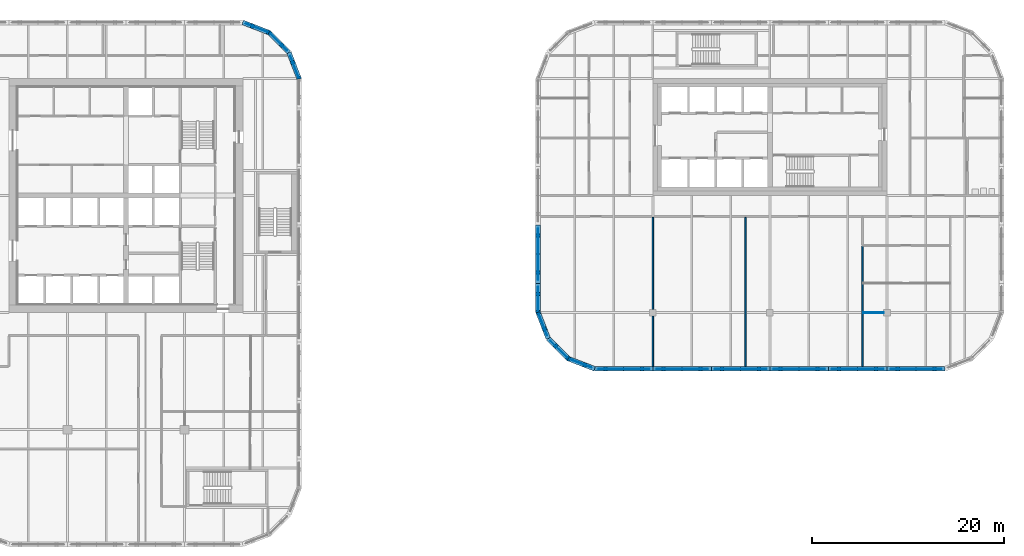
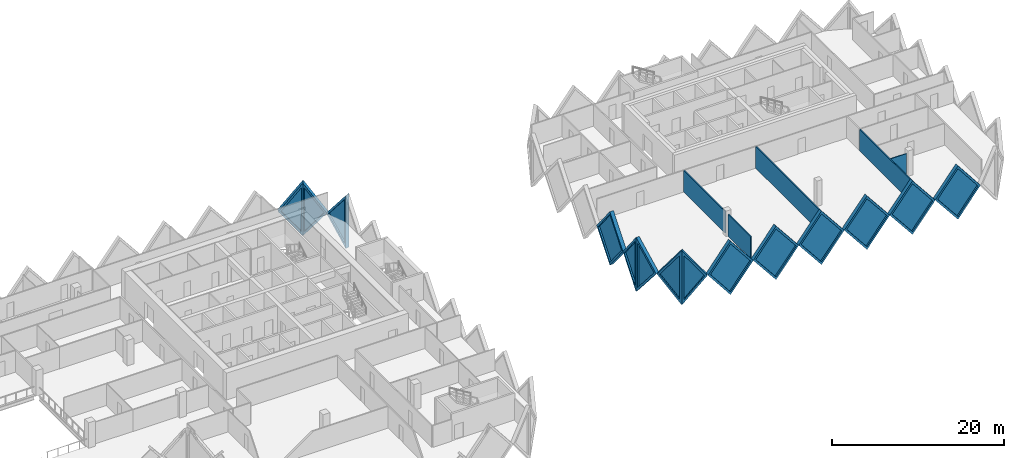
# One storey, part 11 of 19: 19 walls, 14 plates, 14 openings.
"""IFC4 building model written with IfcOpenShell, lengths in metres."""

import ifcopenshell
import ifcopenshell.guid

model = None  # the IFC model being written
_history = None  # IfcOwnerHistory: only IFC2X3 demands one
_inside = {}  # id of a spatial element -> (the spatial element, [elements in it])
_under = {}  # id of a project, library or spatial element -> (it, [spatial elements below it])
_declared = {}  # id of a project -> (the project, [libraries it declares])
_typed = {}  # id of a type object -> (the type object, [elements of that type])
_made_of = {}  # id of a material, layer set ... -> (it, [elements and type objects made of it])


def new_model(schema):
    """Start an empty IFC model of exactly this schema.

    Asked for "IFC4X3", IfcOpenShell would pick the latest addendum, in which some entities
    have other attributes; the version numbers below select the first issue.
    IFC2X3 requires an IfcOwnerHistory on every rooted entity: one is made here for all.
    """
    global model, _history
    if schema == "IFC4X3":
        model = ifcopenshell.file(schema_version=(4, 3, 0, 0))
    else:
        model = ifcopenshell.file(schema=schema)
    _inside.clear()
    _under.clear()
    _declared.clear()
    _typed.clear()
    _made_of.clear()
    _history = None
    if model.schema == "IFC2X3":
        org = make("IfcOrganization", Name="unknown")
        user = make(
            "IfcPersonAndOrganization",
            ThePerson=make("IfcPerson", FamilyName="unknown"),
            TheOrganization=org,
        )
        app = make(
            "IfcApplication",
            ApplicationDeveloper=org,
            Version="unknown",
            ApplicationFullName="unknown",
            ApplicationIdentifier="unknown",
        )
        _history = make(
            "IfcOwnerHistory",
            OwningUser=user,
            OwningApplication=app,
            ChangeAction="ADDED",
            CreationDate=0,
        )
    return model


def make(cls, **values):
    """One entity of the class cls with the attributes given. An attribute that is None is left unset."""
    return model.create_entity(
        cls, **{name: value for name, value in values.items() if value is not None}
    )


def rooted(cls, **values):
    """An entity with a GlobalId (a new one), such as an element, a storey or a relation."""
    return make(cls, GlobalId=ifcopenshell.guid.new(), OwnerHistory=_history, **values)


def si_unit(unit_type, name, prefix=None):
    """IfcSIUnit, for example si_unit("LENGTHUNIT", "METRE", prefix="MILLI")."""
    return make("IfcSIUnit", UnitType=unit_type, Prefix=prefix, Name=name)


def assignment(units):
    """IfcUnitAssignment: the units of a project."""
    return None if units is None else make("IfcUnitAssignment", Units=units)


def point(xyz):
    """IfcCartesianPoint."""
    return None if xyz is None else make("IfcCartesianPoint", Coordinates=xyz)


def direction(xyz):
    """IfcDirection."""
    return None if xyz is None else make("IfcDirection", DirectionRatios=xyz)


def frame(location, z_axis=None, x_axis=None):
    """IfcAxis2Placement3D, a coordinate frame: its origin and axes. An axis left out is left unset."""
    return make(
        "IfcAxis2Placement3D",
        Location=point(location),
        Axis=direction(z_axis),
        RefDirection=direction(x_axis),
    )


def frame_2d(location, x_axis=None):
    """IfcAxis2Placement2D, a coordinate frame in the plane: its origin and x axis."""
    return make(
        "IfcAxis2Placement2D", Location=point(location), RefDirection=direction(x_axis)
    )


def origin():
    """The frame at (0, 0, 0) with its axes left unset."""
    return frame((0.0, 0.0, 0.0))


def place(relative_to, where):
    """IfcLocalPlacement: puts the frame where relative to a parent placement (None: the world)."""
    return make(
        "IfcLocalPlacement", PlacementRelTo=relative_to, RelativePlacement=where
    )


def context(
    kind, dimensions, precision=None, world=None, true_north=None, identifier=None
):
    """IfcGeometricRepresentationContext, for example the 3D "Model" context."""
    return make(
        "IfcGeometricRepresentationContext",
        ContextIdentifier=identifier,
        ContextType=kind,
        CoordinateSpaceDimension=dimensions,
        Precision=precision,
        WorldCoordinateSystem=world,
        TrueNorth=true_north,
    )


def subcontext(parent, identifier, kind, view, scale=None):
    """IfcGeometricRepresentationSubContext, for example "Body" below "Model"."""
    return make(
        "IfcGeometricRepresentationSubContext",
        ContextIdentifier=identifier,
        ContextType=kind,
        ParentContext=parent,
        TargetScale=scale,
        TargetView=view,
    )


def project(units=None, contexts=None):
    """IfcProject with its units and contexts."""
    return rooted(
        "IfcProject",
        Name="project",
        RepresentationContexts=contexts,
        UnitsInContext=assignment(units),
    )


def spatial(cls, under=None, at=None, **own):
    """A site, building, storey or space (cls), placed at a placement, below another one or the project."""
    s = rooted(cls, ObjectPlacement=at, **own)
    if under is not None:
        _under.setdefault(under.id(), (under, []))[1].append(s)
    return s


def polyline(points):
    """IfcPolyline through the points."""
    return make("IfcPolyline", Points=[point(p) for p in points])


def profile(cls, at=None, kind="AREA", **sizes):
    """A parametric profile (cls). Its sizes go by their IFC names, for example OverallWidth=200.0."""
    return make(cls, ProfileType=kind, Position=at, **sizes)


def rectangle(**sizes):
    """IfcRectangleProfileDef."""
    return profile("IfcRectangleProfileDef", **sizes)


def outline(outer, holes=None, kind="AREA"):
    """IfcArbitraryClosedProfileDef: a profile drawn as a closed curve; with holes, ...WithVoids."""
    if holes is None:
        return make("IfcArbitraryClosedProfileDef", ProfileType=kind, OuterCurve=outer)
    return make(
        "IfcArbitraryProfileDefWithVoids",
        ProfileType=kind,
        OuterCurve=outer,
        InnerCurves=holes,
    )


def extrude(swept, where, along, depth):
    """IfcExtrudedAreaSolid: the profile swept, set in the frame where, extruded along a direction by depth."""
    return make(
        "IfcExtrudedAreaSolid",
        SweptArea=swept,
        Position=where,
        ExtrudedDirection=direction(along),
        Depth=depth,
    )


def faces_of(points, faces, orient=None, outer=None):
    """IfcFace entities. A face is a list of loops; a loop is a list of indices into points, from 0.

    orient and outer hold one flag for each loop. By default every Orientation is true, the
    first loop of a face is its IfcFaceOuterBound and the others are IfcFaceBound.
    """
    made = []
    for i, loops in enumerate(faces):
        bounds = []
        for j, loop in enumerate(loops):
            is_outer = j == 0 if outer is None else outer[i][j]
            bounds.append(
                make(
                    "IfcFaceOuterBound" if is_outer else "IfcFaceBound",
                    Bound=make("IfcPolyLoop", Polygon=[points[k] for k in loop]),
                    Orientation=True if orient is None else orient[i][j],
                )
            )
        made.append(make("IfcFace", Bounds=bounds))
    return made


def faceted_brep(points, faces, orient=None, outer=None, voids=None):
    """IfcFacetedBrep: a solid bounded by flat faces; with voids (closed shells), ...WithVoids."""
    shared = [point(p) for p in points]
    hull = make("IfcClosedShell", CfsFaces=faces_of(shared, faces, orient, outer))
    if voids is None:
        return make("IfcFacetedBrep", Outer=hull)
    return make(
        "IfcFacetedBrepWithVoids",
        Outer=hull,
        Voids=[
            make(cls, CfsFaces=faces_of(shared, fs, o, b)) for cls, fs, o, b in voids
        ],
    )


def shape(context_of_items, identifier, shape_type, items):
    """IfcShapeRepresentation: the items that make up one representation, for example the "Body"."""
    return make(
        "IfcShapeRepresentation",
        ContextOfItems=context_of_items,
        RepresentationIdentifier=identifier,
        RepresentationType=shape_type,
        Items=items,
    )


def source(mapping_origin, context_of_items, identifier, shape_type, items):
    """IfcRepresentationMap: a shape defined once, which mapped items show again and again."""
    return make(
        "IfcRepresentationMap",
        MappingOrigin=mapping_origin,
        MappedRepresentation=shape(context_of_items, identifier, shape_type, items),
    )


def transform(
    local_origin,
    x_axis=None,
    y_axis=None,
    z_axis=None,
    scale=None,
    scale2=None,
    scale3=None,
    uniform=True,
):
    """IfcCartesianTransformationOperator3D, or its non-uniform kind. x_axis, y_axis, z_axis: its Axis1, 2, 3."""
    if uniform:
        return make(
            "IfcCartesianTransformationOperator3D",
            Axis1=direction(x_axis),
            Axis2=direction(y_axis),
            LocalOrigin=point(local_origin),
            Scale=scale,
            Axis3=direction(z_axis),
        )
    return make(
        "IfcCartesianTransformationOperator3DnonUniform",
        Axis1=direction(x_axis),
        Axis2=direction(y_axis),
        LocalOrigin=point(local_origin),
        Scale=scale,
        Axis3=direction(z_axis),
        Scale2=scale2,
        Scale3=scale3,
    )


def mapped(mapping_source, mapping_target):
    """IfcMappedItem: shows the shape of a source again, moved by a transform."""
    return make(
        "IfcMappedItem", MappingSource=mapping_source, MappingTarget=mapping_target
    )


def material(Name=None, Category=None):
    """IfcMaterial."""
    return make("IfcMaterial", Name=Name, Category=Category)


def layer(
    of_material, thickness, ventilated=None, Name=None, Category=None, Priority=None
):
    """IfcMaterialLayer: one layer of a wall or slab, of a material (None: an air gap)."""
    return make(
        "IfcMaterialLayer",
        Material=of_material,
        LayerThickness=thickness,
        IsVentilated=ventilated,
        Name=Name,
        Category=Category,
        Priority=Priority,
    )


def layer_set(layers, Name=None):
    """IfcMaterialLayerSet."""
    return make("IfcMaterialLayerSet", MaterialLayers=layers, LayerSetName=Name)


def made_of(thing, what):
    """Note that an element or type object is made of a material, layer set ...; save() writes the relation."""
    if what is not None:
        _made_of.setdefault(what.id(), (what, []))[1].append(thing)
    return thing


def type_object(cls, material=None, **own):
    """A type object (cls), such as IfcWallType, which elements share."""
    return made_of(rooted(cls, **own), material)


def element(
    cls,
    number,
    at=None,
    inside=None,
    cuts=None,
    type_object=None,
    material=None,
    context=None,
    identifier="Body",
    shape_type=None,
    held_by="IfcProductDefinitionShape",
    body=None,
    shapes=None,
    **own,
):
    """One element of the class cls, such as IfcWall. Its Tag is "e" and its number.

    at: its placement. inside: the storey or other place that contains it. cuts: it is an
    opening in that element (IfcRelVoidsElement). A single representation is given by context,
    identifier, shape_type and body (its items); several are given by shapes. held_by: the class
    of the entity that holds the representations. save() writes the other relations.
    """
    e = rooted(cls, Tag="e%d" % number, ObjectPlacement=at, **own)
    if body is not None:
        shapes = [shape(context, identifier, shape_type, body)]
    if shapes is not None:
        e.Representation = make(held_by, Representations=shapes)
    if inside is not None:
        _inside.setdefault(inside.id(), (inside, []))[1].append(e)
    if cuts is not None:
        rooted(
            "IfcRelVoidsElement", RelatingBuildingElement=cuts, RelatedOpeningElement=e
        )
    if type_object is not None:
        _typed.setdefault(type_object.id(), (type_object, []))[1].append(e)
    return made_of(e, material)


def fill(opening, filler):
    """IfcRelFillsElement: the door or window that sits in an opening."""
    return rooted(
        "IfcRelFillsElement",
        RelatingOpeningElement=opening,
        RelatedBuildingElement=filler,
    )


def aggregate(whole, parts):
    """IfcRelAggregates: a whole, such as a stair, and the parts it consists of."""
    return rooted("IfcRelAggregates", RelatingObject=whole, RelatedObjects=parts)


def save(model, path):
    """Write the relations noted so far, then the file.

    IfcRelAggregates (storeys below a building ...), IfcRelContainedInSpatialStructure (elements
    in a storey), IfcRelDefinesByType, IfcRelAssociatesMaterial and IfcRelDeclares: one each for
    every whole, place, type object, material and project.
    """
    for whole, parts in _under.values():
        aggregate(whole, parts)
    for where, things in _inside.values():
        rooted(
            "IfcRelContainedInSpatialStructure",
            RelatedElements=things,
            RelatingStructure=where,
        )
    for kind, things in _typed.values():
        rooted("IfcRelDefinesByType", RelatedObjects=things, RelatingType=kind)
    for what, things in _made_of.values():
        rooted("IfcRelAssociatesMaterial", RelatedObjects=things, RelatingMaterial=what)
    for by, libraries in _declared.values():
        rooted("IfcRelDeclares", RelatingContext=by, RelatedDefinitions=libraries)
    model.write(path)


model = new_model("IFC4")

# Units and contexts
model_context = context("Model", 3, precision=1e-05, world=origin(), true_north=direction((0.0, 1.0)))
body_context = subcontext(model_context, "Body", "Model", "MODEL_VIEW")
ifc_project = project(units=[si_unit("LENGTHUNIT", "METRE"), si_unit("AREAUNIT", "SQUARE_METRE"), si_unit("VOLUMEUNIT", "CUBIC_METRE"), si_unit("PLANEANGLEUNIT", "RADIAN"), si_unit("MASSUNIT", "GRAM", prefix="KILO")], contexts=[model_context])

# Site, building, storey
site_placement = place(None, origin())
site = spatial("IfcSite", under=ifc_project, at=site_placement, CompositionType="ELEMENT")
building_placement = place(site_placement, origin())
building = spatial("IfcBuilding", under=site, at=building_placement, Name="Tessera Gate Towers", CompositionType="ELEMENT")
storey_placement = place(building_placement, frame((0.0, 0.0, 80.0)))
storey = spatial("IfcBuildingStorey", under=building, at=storey_placement, Name="L19", CompositionType="ELEMENT", Elevation=80.0)

# Walls
ifc_material_1 = material(Name="Gypsum board on steel studs", Category="steel")
ifc_layer_1 = layer(ifc_material_1, 0.10009765625)
ifc_layer_set_1 = layer_set([ifc_layer_1], Name="PARTITION 100")
wall_type_1 = type_object("IfcWallType", Name="PARTITION 100", PredefinedType="PARTITIONING", material=ifc_layer_set_1)
wall_1_placement = place(storey_placement, frame((121.64990234375, 24.39990234375, 0.0), z_axis=(0.0, 0.0, 1.0), x_axis=(-1.0, 0.0, 0.0)))
element("IfcWall", 1, at=wall_1_placement, inside=storey, type_object=wall_type_1, Name="T2-L19-PW-005", PredefinedType="PARTITIONING", context=body_context, shape_type="SweptSolid", body=[
    extrude(rectangle(XDim=2.125, YDim=0.10009765625, at=frame_2d((1.0625, 0.0))), origin(), (0.0, 0.0, 1.0), 3.06689453125),
])
ifc_material_2 = material(Name="Gypsum board on steel studs, mineral wool", Category="steel")
ifc_layer_2 = layer(ifc_material_2, 0.14990234375)
ifc_layer_set_2 = layer_set([ifc_layer_2], Name="TENANCY WALL 150")
wall_type_2 = type_object("IfcWallType", Name="TENANCY WALL 150", PredefinedType="PARTITIONING", material=ifc_layer_set_2)
wall_2_placement = place(storey_placement, frame((97.60009765625, 18.800048828125, 0.0), z_axis=(0.0, 0.0, 1.0), x_axis=(0.0, 1.0, 0.0)))
element("IfcWall", 2, at=wall_2_placement, inside=storey, type_object=wall_type_2, Name="T2-L19-PW-001", PredefinedType="PARTITIONING", context=body_context, shape_type="SweptSolid", body=[
    extrude(rectangle(XDim=5.2490234375, YDim=0.14990234375, at=frame_2d((2.62451171875, 0.0))), origin(), (0.0, 0.0, 1.0), 3.06689453125),
])
wall_3_placement = place(storey_placement, frame((107.25, 18.800048828125, 0.0), z_axis=(0.0, 0.0, 1.0), x_axis=(0.0, 1.0, 0.0)))
element("IfcWall", 3, at=wall_3_placement, inside=storey, type_object=wall_type_2, Name="T2-L19-PW-002", PredefinedType="PARTITIONING", context=body_context, shape_type="SweptSolid", body=[
    extrude(rectangle(XDim=15.52392578125, YDim=0.14990234375, at=frame_2d((7.761962890625, 0.0))), origin(), (0.0, 0.0, 1.0), 3.06689453125),
])
wall_4_placement = place(storey_placement, frame((119.449951171875, 18.800048828125, 0.0), z_axis=(0.0, 0.0, 1.0), x_axis=(0.0, 1.0, 0.0)))
element("IfcWall", 4, at=wall_4_placement, inside=storey, type_object=wall_type_2, Name="T2-L19-PW-003", PredefinedType="PARTITIONING", context=body_context, shape_type="SweptSolid", body=[
    extrude(rectangle(XDim=12.52392578125, YDim=0.14990234375, at=frame_2d((6.261962890625, 0.0))), origin(), (0.0, 0.0, 1.0), 3.06689453125),
])
wall_5_placement = place(storey_placement, frame((97.60009765625, 24.7509765625, 0.0), z_axis=(0.0, 0.0, 1.0), x_axis=(0.0, 1.0, 0.0)))
element("IfcWall", 5, at=wall_5_placement, inside=storey, type_object=wall_type_2, Name="T2-L19-PW-006", PredefinedType="PARTITIONING", context=body_context, shape_type="SweptSolid", body=[
    extrude(rectangle(XDim=9.572998046875, YDim=0.14990234375, at=frame_2d((4.78662109375, 0.0))), origin(), (0.0, 0.0, 1.0), 3.06689453125),
])

# Wall, opening, plate
ifc_material_3 = material(Name="Precast concrete C60/75 white", Category="concrete")
ifc_layer_3 = layer(ifc_material_3, 0.5)
ifc_layer_set_3 = layer_set([ifc_layer_3], Name="TS1 tessera")
wall_type_3 = type_object("IfcWallType", Name="TS1 tessera", PredefinedType="SOLIDWALL", material=ifc_layer_set_3)
shared_shape_1 = source(origin(), body_context, "Body", "Brep", [
    faceted_brep([(3.00341796875, -0.25, 0.0), (6.053466796875, -0.25, 3.800048828125), (3.00341796875, -0.25, 7.60009765625), (0.0, -0.25, 3.800048828125), (0.046630859375, 0.25, 3.85888671875), (3.00341796875, 0.25, 7.60009765625), (6.053466796875, 0.25, 3.800048828125), (3.00341796875, 0.25, 0.0), (0.046630859375, 0.25, 3.7412109375), (0.0, 0.0, 3.800048828125)], [[[0, 1, 2, 3]], [[4, 5, 6, 7, 8]], [[7, 6, 1, 0]], [[6, 5, 2, 1]], [[5, 4, 9, 3, 2]], [[8, 7, 0, 3, 9]], [[8, 9, 4]]]),
])
wall_6_placement = place(storey_placement, frame((91.546630859375, 18.550048828125, -3.800048828125), z_axis=(0.0, 0.0, 1.0), x_axis=(1.0, 0.0, 0.0)))
wall_6 = element("IfcWall", 6, at=wall_6_placement, inside=storey, type_object=wall_type_3, Name="Precast tessera T2 TS1-0216", PredefinedType="SOLIDWALL", context=body_context, shape_type="MappedRepresentation", body=[
    mapped(shared_shape_1, transform((0.0, 0.0, 0.0), scale=1.0)),
])
shared_shape_2 = source(origin(), body_context, "Body", "SweptSolid", [
    extrude(outline(polyline([(3.0048828125, 0.4013671875), (5.73291015625, 3.800048828125), (3.0048828125, 7.19873046875), (0.318603515625, 3.800048828125), (3.0048828125, 0.4013671875)])), frame((0.0, 0.260009765625, 0.0), z_axis=(0.0, -1.0, 0.0), x_axis=(1.0, 0.0, 0.0)), (0.0, 0.0, 1.0), 0.52001953125),
])
opening_1_placement = place(wall_6_placement, origin())
opening_1 = element("IfcOpeningElement", 7, at=opening_1_placement, cuts=wall_6, Name="Opening T2-PL2-0408", PredefinedType="OPENING", context=body_context, shape_type="MappedRepresentation", body=[
    mapped(shared_shape_2, transform((0.0, 0.0, 0.0), scale=1.0)),
])
ifc_material_4 = material(Name="Low-e laminated glass", Category="glass")
ifc_layer_4 = layer(ifc_material_4, 0.06005859375)
ifc_layer_set_4 = layer_set([ifc_layer_4], Name="PL2 rhombic pane")
plate_type = type_object("IfcPlateType", Name="PL2 rhombic pane", PredefinedType="SHEET", material=ifc_layer_set_4)
shared_shape_3 = source(origin(), body_context, "Body", "SweptSolid", [
    extrude(outline(polyline([(3.0048828125, 0.4013671875), (5.73291015625, 3.800048828125), (3.0048828125, 7.19873046875), (0.318603515625, 3.800048828125), (3.0048828125, 0.4013671875)])), frame((0.0, 0.030029296875, 0.0), z_axis=(0.0, -1.0, 0.0), x_axis=(1.0, 0.0, 0.0)), (0.0, 0.0, 1.0), 0.06005859375),
])
plate_1_placement = place(opening_1_placement, origin())
plate_1 = element("IfcPlate", 8, at=plate_1_placement, inside=storey, type_object=plate_type, Name="Glass pane T2 PL2-0408", PredefinedType="SHEET", context=body_context, shape_type="MappedRepresentation", body=[
    mapped(shared_shape_3, transform((0.0, 0.0, 0.0), scale=1.0)),
])
fill(opening_1, plate_1)

shared_shape_4 = source(origin(), body_context, "Body", "Brep", [
    faceted_brep([(3.050048828125, -0.25, 0.0), (6.099853515625, -0.25, 3.7998046875), (6.099853515625, -0.25, 3.80029296875), (3.050048828125, -0.25, 7.60009765625), (0.0, -0.25, 3.800048828125), (0.0, 0.25, 3.800048828125), (3.050048828125, 0.25, 7.60009765625), (6.099853515625, 0.25, 3.80029296875), (6.099853515625, 0.25, 3.7998046875), (3.050048828125, 0.25, 0.0)], [[[0, 1, 2, 3, 4]], [[5, 6, 7, 8, 9]], [[9, 8, 1, 0]], [[7, 6, 3, 2]], [[6, 5, 4, 3]], [[5, 9, 0, 4]], [[1, 8, 7, 2]]]),
])
wall_7_placement = place(storey_placement, frame((97.60009765625, 18.550048828125, -3.800048828125), z_axis=(0.0, 0.0, 1.0), x_axis=(1.0, 0.0, 0.0)))
wall_7 = element("IfcWall", 9, at=wall_7_placement, inside=storey, type_object=wall_type_3, Name="Precast tessera T2 TS1-0217", PredefinedType="SOLIDWALL", context=body_context, shape_type="MappedRepresentation", body=[
    mapped(shared_shape_4, transform((0.0, 0.0, 0.0), scale=1.0)),
])
shared_shape_5 = source(origin(), body_context, "Body", "SweptSolid", [
    extrude(outline(polyline([(3.050048828125, 0.3994140625), (5.779541015625, 3.800048828125), (3.050048828125, 7.20068359375), (0.320556640625, 3.800048828125), (3.050048828125, 0.3994140625)])), frame((0.0, 0.260009765625, 0.0), z_axis=(0.0, -1.0, 0.0), x_axis=(1.0, 0.0, 0.0)), (0.0, 0.0, 1.0), 0.52001953125),
])
opening_2_placement = place(wall_7_placement, origin())
opening_2 = element("IfcOpeningElement", 10, at=opening_2_placement, cuts=wall_7, Name="Opening T2-PL2-0409", PredefinedType="OPENING", context=body_context, shape_type="MappedRepresentation", body=[
    mapped(shared_shape_5, transform((0.0, 0.0, 0.0), scale=1.0)),
])
shared_shape_6 = source(origin(), body_context, "Body", "SweptSolid", [
    extrude(outline(polyline([(3.050048828125, 0.3994140625), (5.779541015625, 3.800048828125), (3.050048828125, 7.20068359375), (0.320556640625, 3.800048828125), (3.050048828125, 0.3994140625)])), frame((0.0, 0.030029296875, 0.0), z_axis=(0.0, -1.0, 0.0), x_axis=(1.0, 0.0, 0.0)), (0.0, 0.0, 1.0), 0.06005859375),
])
plate_2_placement = place(opening_2_placement, origin())
plate_2 = element("IfcPlate", 11, at=plate_2_placement, inside=storey, type_object=plate_type, Name="Glass pane T2 PL2-0409", PredefinedType="SHEET", context=body_context, shape_type="MappedRepresentation", body=[
    mapped(shared_shape_6, transform((0.0, 0.0, 0.0), scale=1.0)),
])
fill(opening_2, plate_2)

wall_8_placement = place(storey_placement, frame((109.800048828125, 18.550048828125, -3.800048828125), z_axis=(0.0, 0.0, 1.0), x_axis=(1.0, 0.0, 0.0)))
wall_8 = element("IfcWall", 12, at=wall_8_placement, inside=storey, type_object=wall_type_3, Name="Precast tessera T2 TS1-0219", PredefinedType="SOLIDWALL", context=body_context, shape_type="MappedRepresentation", body=[
    mapped(shared_shape_4, transform((0.0, 0.0, 0.0), scale=1.0)),
])
opening_3_placement = place(wall_8_placement, origin())
opening_3 = element("IfcOpeningElement", 13, at=opening_3_placement, cuts=wall_8, Name="Opening T2-PL2-0411", PredefinedType="OPENING", context=body_context, shape_type="MappedRepresentation", body=[
    mapped(shared_shape_5, transform((0.0, 0.0, 0.0), scale=1.0)),
])
plate_3_placement = place(opening_3_placement, origin())
plate_3 = element("IfcPlate", 14, at=plate_3_placement, inside=storey, type_object=plate_type, Name="Glass pane T2 PL2-0411", PredefinedType="SHEET", context=body_context, shape_type="MappedRepresentation", body=[
    mapped(shared_shape_6, transform((0.0, 0.0, 0.0), scale=1.0)),
])
fill(opening_3, plate_3)

shared_shape_7 = source(origin(), body_context, "Body", "SweptSolid", [
    extrude(outline(polyline([(3.050048828125, 0.0), (6.10009765625, 3.800048828125), (3.050048828125, 7.60009765625), (0.0, 3.800048828125), (3.050048828125, 0.0)])), frame((0.0, 0.25, 0.0), z_axis=(0.0, -1.0, 0.0), x_axis=(1.0, 0.0, 0.0)), (0.0, 0.0, 1.0), 0.5),
])
wall_9_placement = place(storey_placement, frame((103.699951171875, 18.550048828125, -3.800048828125), z_axis=(0.0, 0.0, 1.0), x_axis=(1.0, 0.0, 0.0)))
wall_9 = element("IfcWall", 15, at=wall_9_placement, inside=storey, type_object=wall_type_3, Name="Precast tessera T2 TS1-0218", PredefinedType="SOLIDWALL", context=body_context, shape_type="MappedRepresentation", body=[
    mapped(shared_shape_7, transform((0.0, 0.0, 0.0), scale=1.0)),
])
opening_4_placement = place(wall_9_placement, origin())
opening_4 = element("IfcOpeningElement", 16, at=opening_4_placement, cuts=wall_9, Name="Opening T2-PL2-0410", PredefinedType="OPENING", context=body_context, shape_type="MappedRepresentation", body=[
    mapped(shared_shape_5, transform((0.0, 0.0, 0.0), scale=1.0)),
])
plate_4_placement = place(opening_4_placement, origin())
plate_4 = element("IfcPlate", 17, at=plate_4_placement, inside=storey, type_object=plate_type, Name="Glass pane T2 PL2-0410", PredefinedType="SHEET", context=body_context, shape_type="MappedRepresentation", body=[
    mapped(shared_shape_6, transform((0.0, 0.0, 0.0), scale=1.0)),
])
fill(opening_4, plate_4)

wall_10_placement = place(storey_placement, frame((115.89990234375, 18.550048828125, -3.800048828125), z_axis=(0.0, 0.0, 1.0), x_axis=(1.0, 0.0, 0.0)))
wall_10 = element("IfcWall", 18, at=wall_10_placement, inside=storey, type_object=wall_type_3, Name="Precast tessera T2 TS1-0220", PredefinedType="SOLIDWALL", context=body_context, shape_type="MappedRepresentation", body=[
    mapped(shared_shape_7, transform((0.0, 0.0, 0.0), scale=1.0)),
])
opening_5_placement = place(wall_10_placement, origin())
opening_5 = element("IfcOpeningElement", 19, at=opening_5_placement, cuts=wall_10, Name="Opening T2-PL2-0412", PredefinedType="OPENING", context=body_context, shape_type="MappedRepresentation", body=[
    mapped(shared_shape_5, transform((0.0, 0.0, 0.0), scale=1.0)),
])
plate_5_placement = place(opening_5_placement, origin())
plate_5 = element("IfcPlate", 20, at=plate_5_placement, inside=storey, type_object=plate_type, Name="Glass pane T2 PL2-0412", PredefinedType="SHEET", context=body_context, shape_type="MappedRepresentation", body=[
    mapped(shared_shape_6, transform((0.0, 0.0, 0.0), scale=1.0)),
])
fill(opening_5, plate_5)

wall_11_placement = place(storey_placement, frame((85.64990234375, 33.550048828125, -3.800048828125), z_axis=(0.0, 0.0, 1.0), x_axis=(0.0, -1.0, 0.0)))
wall_11 = element("IfcWall", 21, at=wall_11_placement, inside=storey, type_object=wall_type_3, Name="Precast tessera T2 TS1-0233", PredefinedType="SOLIDWALL", context=body_context, shape_type="MappedRepresentation", body=[
    mapped(shared_shape_7, transform((0.0, 0.0, 0.0), scale=1.0)),
])
opening_6_placement = place(wall_11_placement, origin())
opening_6 = element("IfcOpeningElement", 22, at=opening_6_placement, cuts=wall_11, Name="Opening T2-PL2-0437", PredefinedType="OPENING", context=body_context, shape_type="MappedRepresentation", body=[
    mapped(shared_shape_5, transform((0.0, 0.0, 0.0), scale=1.0)),
])
plate_6_placement = place(opening_6_placement, origin())
plate_6 = element("IfcPlate", 23, at=plate_6_placement, inside=storey, type_object=plate_type, Name="Glass pane T2 PL2-0437", PredefinedType="SHEET", context=body_context, shape_type="MappedRepresentation", body=[
    mapped(shared_shape_6, transform((0.0, 0.0, 0.0), scale=1.0)),
])
fill(opening_6, plate_6)

shared_shape_8 = source(origin(), body_context, "Body", "Brep", [
    faceted_brep([(3.050048828125, -0.25, 0.0), (6.053466796875, -0.25, 3.800048828125), (3.050048828125, -0.25, 7.60009765625), (0.0, -0.25, 3.800048828125), (0.0, 0.25, 3.800048828125), (3.050048828125, 0.25, 7.60009765625), (6.0068359375, 0.25, 3.85888671875), (6.0068359375, 0.25, 3.7412109375), (3.050048828125, 0.25, 0.0), (6.053466796875, 0.0, 3.800048828125)], [[[0, 1, 2, 3]], [[4, 5, 6, 7, 8]], [[8, 7, 9, 1, 0]], [[6, 5, 2, 1, 9]], [[5, 4, 3, 2]], [[4, 8, 0, 3]], [[9, 7, 6]]]),
])
wall_12_placement = place(storey_placement, frame((122.0, 18.550048828125, -3.800048828125), z_axis=(0.0, 0.0, 1.0), x_axis=(1.0, 0.0, 0.0)))
wall_12 = element("IfcWall", 24, at=wall_12_placement, inside=storey, type_object=wall_type_3, Name="Precast tessera T2 TS1-0221", PredefinedType="SOLIDWALL", context=body_context, shape_type="MappedRepresentation", body=[
    mapped(shared_shape_8, transform((0.0, 0.0, 0.0), scale=1.0)),
])
shared_shape_9 = source(origin(), body_context, "Body", "SweptSolid", [
    extrude(outline(polyline([(3.048583984375, 0.4013671875), (5.73486328125, 3.800048828125), (3.048583984375, 7.19873046875), (0.320556640625, 3.800048828125), (3.048583984375, 0.4013671875)])), frame((0.0, 0.260009765625, 0.0), z_axis=(0.0, -1.0, 0.0), x_axis=(1.0, 0.0, 0.0)), (0.0, 0.0, 1.0), 0.52001953125),
])
opening_7_placement = place(wall_12_placement, origin())
opening_7 = element("IfcOpeningElement", 25, at=opening_7_placement, cuts=wall_12, Name="Opening T2-PL2-0413", PredefinedType="OPENING", context=body_context, shape_type="MappedRepresentation", body=[
    mapped(shared_shape_9, transform((0.0, 0.0, 0.0), scale=1.0)),
])
shared_shape_10 = source(origin(), body_context, "Body", "SweptSolid", [
    extrude(outline(polyline([(3.048583984375, 0.4013671875), (5.73486328125, 3.800048828125), (3.048583984375, 7.19873046875), (0.320556640625, 3.800048828125), (3.048583984375, 0.4013671875)])), frame((0.0, 0.030029296875, 0.0), z_axis=(0.0, -1.0, 0.0), x_axis=(1.0, 0.0, 0.0)), (0.0, 0.0, 1.0), 0.06005859375),
])
plate_7_placement = place(opening_7_placement, origin())
plate_7 = element("IfcPlate", 26, at=plate_7_placement, inside=storey, type_object=plate_type, Name="Glass pane T2 PL2-0413", PredefinedType="SHEET", context=body_context, shape_type="MappedRepresentation", body=[
    mapped(shared_shape_10, transform((0.0, 0.0, 0.0), scale=1.0)),
])
fill(opening_7, plate_7)

ifc_material_5 = material(Name="Precast concrete C60/75 white", Category="concrete")
ifc_layer_5 = layer(ifc_material_5, 0.5)
ifc_layer_set_5 = layer_set([ifc_layer_5], Name="TS3 corner tessera")
wall_type_4 = type_object("IfcWallType", Name="TS3 corner tessera", PredefinedType="SOLIDWALL", material=ifc_layer_set_5)
shared_shape_11 = source(origin(), body_context, "Body", "Brep", [
    faceted_brep([(3.00341796875, -0.25, 0.0), (3.050048828125, -0.25, 0.06005859375), (3.050048828125, -0.25, 7.5400390625), (3.00341796875, -0.25, 7.60009765625), (0.0, -0.25, 3.800048828125), (0.0, 0.25, 3.800048828125), (2.956787109375, 0.25, 7.541259765625), (2.956787109375, 0.25, 0.058837890625), (3.00341796875, 0.000244140625, 0.0), (3.00341796875, 0.000244140625, 7.60009765625)], [[[0, 1, 2, 3, 4]], [[5, 6, 7]], [[1, 0, 8]], [[9, 3, 2]], [[6, 5, 4, 3, 9]], [[5, 7, 8, 0, 4]], [[1, 8, 7, 6, 9, 2]]]),
])
wall_13_placement = place(storey_placement, frame((85.64990234375, 27.449951171875, -3.800048828125), z_axis=(0.0, 0.0, 1.0), x_axis=(0.0, -1.0, 0.0)))
wall_13 = element("IfcWall", 27, at=wall_13_placement, inside=storey, type_object=wall_type_4, Name="Precast corner tessera T2 TS3-0285", PredefinedType="SOLIDWALL", context=body_context, shape_type="MappedRepresentation", body=[
    mapped(shared_shape_11, transform((0.0, 0.0, 0.0), scale=1.0)),
])
shared_shape_12 = source(origin(), body_context, "Body", "SweptSolid", [
    extrude(outline(polyline([(2.803466796875, 6.94384765625), (0.318603515625, 3.800048828125), (2.803466796875, 0.65625), (2.803466796875, 6.94384765625)])), frame((0.0, 0.260009765625, 0.0), z_axis=(0.0, -1.0, 0.0), x_axis=(1.0, 0.0, 0.0)), (0.0, 0.0, 1.0), 0.52001953125),
])
opening_8_placement = place(wall_13_placement, origin())
opening_8 = element("IfcOpeningElement", 28, at=opening_8_placement, cuts=wall_13, Name="Opening T2-PL2-0438", PredefinedType="OPENING", context=body_context, shape_type="MappedRepresentation", body=[
    mapped(shared_shape_12, transform((0.0, 0.0, 0.0), scale=1.0)),
])
shared_shape_13 = source(origin(), body_context, "Body", "SweptSolid", [
    extrude(outline(polyline([(2.803466796875, 6.94384765625), (0.318603515625, 3.800048828125), (2.803466796875, 0.65625), (2.803466796875, 6.94384765625)])), frame((0.0, 0.030029296875, 0.0), z_axis=(0.0, -1.0, 0.0), x_axis=(1.0, 0.0, 0.0)), (0.0, 0.0, 1.0), 0.06005859375),
])
plate_8_placement = place(opening_8_placement, origin())
plate_8 = element("IfcPlate", 29, at=plate_8_placement, inside=storey, type_object=plate_type, Name="Glass pane T2 PL2-0438", PredefinedType="SHEET", context=body_context, shape_type="MappedRepresentation", body=[
    mapped(shared_shape_13, transform((0.0, 0.0, 0.0), scale=1.0)),
])
fill(opening_8, plate_8)

shared_shape_14 = source(origin(), body_context, "Body", "Brep", [
    faceted_brep([(0.046630859375, -0.25, 0.0), (2.9970703125, -0.25, 3.800048828125), (0.046630859375, -0.25, 7.60009765625), (0.0, -0.25, 7.541259765625), (0.0, -0.25, 0.058837890625), (0.09326171875, 0.25, 7.5400390625), (2.9443359375, 0.25, 3.8681640625), (2.9443359375, 0.25, 3.73193359375), (0.09326171875, 0.25, 0.06005859375), (2.9970703125, 0.00048828125, 3.800048828125), (0.046630859375, 0.0, 0.0), (0.046630859375, 0.0, 7.60009765625)], [[[0, 1, 2, 3, 4]], [[5, 6, 7, 8]], [[8, 7, 9, 1, 0, 10]], [[6, 5, 11, 2, 1, 9]], [[3, 2, 11]], [[10, 0, 4]], [[8, 10, 4, 3, 11, 5]], [[9, 7, 6]]]),
])
wall_14_placement = place(storey_placement, frame((60.766845703125, 48.7099609375, -3.800048828125), z_axis=(0.0, 0.0, 1.0), x_axis=(-0.359901446078, 0.932990326376, 0.0)))
wall_14 = element("IfcWall", 30, at=wall_14_placement, inside=storey, type_object=wall_type_4, Name="Precast corner tessera T1 TS3-0414", PredefinedType="SOLIDWALL", context=body_context, shape_type="MappedRepresentation", body=[
    mapped(shared_shape_14, transform((0.0, 0.0, 0.0), scale=1.0)),
])
shared_shape_15 = source(origin(), body_context, "Body", "SweptSolid", [
    extrude(outline(polyline([(0.24658203125, 0.665283203125), (2.6806640625, 3.800048828125), (0.24658203125, 6.934814453125), (0.24658203125, 0.665283203125)])), frame((0.0, 0.260009765625, 0.0), z_axis=(0.0, -1.0, 0.0), x_axis=(1.0, 0.0, 0.0)), (0.0, 0.0, 1.0), 0.52001953125),
])
opening_9_placement = place(wall_14_placement, origin())
opening_9 = element("IfcOpeningElement", 31, at=opening_9_placement, cuts=wall_14, Name="Opening T1-PL2-0579", PredefinedType="OPENING", context=body_context, shape_type="MappedRepresentation", body=[
    mapped(shared_shape_15, transform((0.0, 0.0, 0.0), scale=1.0)),
])
shared_shape_16 = source(origin(), body_context, "Body", "SweptSolid", [
    extrude(outline(polyline([(0.24658203125, 0.665283203125), (2.6806640625, 3.800048828125), (0.24658203125, 6.934814453125), (0.24658203125, 0.665283203125)])), frame((0.0, 0.030029296875, 0.0), z_axis=(0.0, -1.0, 0.0), x_axis=(1.0, 0.0, 0.0)), (0.0, 0.0, 1.0), 0.06005859375),
])
plate_9_placement = place(opening_9_placement, origin())
plate_9 = element("IfcPlate", 32, at=plate_9_placement, inside=storey, type_object=plate_type, Name="Glass pane T1 PL2-0579", PredefinedType="SHEET", context=body_context, shape_type="MappedRepresentation", body=[
    mapped(shared_shape_16, transform((0.0, 0.0, 0.0), scale=1.0)),
])
fill(opening_9, plate_9)

wall_15_placement = place(storey_placement, frame((85.63330078125, 24.489990234375, -3.800048828125), z_axis=(0.0, 0.0, 1.0), x_axis=(0.359901446078, -0.932990326376, 0.0)))
wall_15 = element("IfcWall", 33, at=wall_15_placement, inside=storey, type_object=wall_type_4, Name="Precast corner tessera T2 TS3-0286", PredefinedType="SOLIDWALL", context=body_context, shape_type="MappedRepresentation", body=[
    mapped(shared_shape_14, transform((0.0, 0.0, 0.0), scale=1.0)),
])
opening_10_placement = place(wall_15_placement, origin())
opening_10 = element("IfcOpeningElement", 34, at=opening_10_placement, cuts=wall_15, Name="Opening T2-PL2-0439", PredefinedType="OPENING", context=body_context, shape_type="MappedRepresentation", body=[
    mapped(shared_shape_15, transform((0.0, 0.0, 0.0), scale=1.0)),
])
plate_10_placement = place(opening_10_placement, origin())
plate_10 = element("IfcPlate", 35, at=plate_10_placement, inside=storey, type_object=plate_type, Name="Glass pane T2 PL2-0439", PredefinedType="SHEET", context=body_context, shape_type="MappedRepresentation", body=[
    mapped(shared_shape_16, transform((0.0, 0.0, 0.0), scale=1.0)),
])
fill(opening_10, plate_10)

shared_shape_17 = source(origin(), body_context, "Body", "Brep", [
    faceted_brep([(2.944091796875, -0.25, 0.0), (2.9970703125, -0.25, 0.068115234375), (2.9970703125, -0.25, 7.531982421875), (2.944091796875, -0.25, 7.60009765625), (0.0, -0.25, 3.800048828125), (0.052978515625, 0.25, 3.868408203125), (2.89111328125, 0.25, 7.531982421875), (2.89111328125, 0.25, 0.068115234375), (0.052978515625, 0.25, 3.731689453125), (2.944091796875, 0.000244140625, 0.0), (2.944091796875, 0.000244140625, 7.60009765625), (0.0, 0.0, 3.800048828125)], [[[0, 1, 2, 3, 4]], [[5, 6, 7, 8]], [[1, 0, 9]], [[10, 3, 2]], [[6, 5, 11, 4, 3, 10]], [[8, 7, 9, 0, 4, 11]], [[8, 11, 5]], [[1, 9, 7, 6, 10, 2]]]),
])
wall_16_placement = place(storey_placement, frame((59.68798828125, 51.50634765625, -3.800048828125), z_axis=(0.0, 0.0, 1.0), x_axis=(-0.707106781187, 0.707106781187, 0.0)))
wall_16 = element("IfcWall", 36, at=wall_16_placement, inside=storey, type_object=wall_type_4, Name="Precast corner tessera T1 TS3-0415", PredefinedType="SOLIDWALL", context=body_context, shape_type="MappedRepresentation", body=[
    mapped(shared_shape_17, transform((0.0, 0.0, 0.0), scale=1.0)),
])
shared_shape_18 = source(origin(), body_context, "Body", "SweptSolid", [
    extrude(outline(polyline([(2.744140625, 6.933837890625), (0.316162109375, 3.800048828125), (2.744140625, 0.666259765625), (2.744140625, 6.933837890625)])), frame((0.0, 0.260009765625, 0.0), z_axis=(0.0, -1.0, 0.0), x_axis=(1.0, 0.0, 0.0)), (0.0, 0.0, 1.0), 0.52001953125),
])
opening_11_placement = place(wall_16_placement, origin())
opening_11 = element("IfcOpeningElement", 37, at=opening_11_placement, cuts=wall_16, Name="Opening T1-PL2-0580", PredefinedType="OPENING", context=body_context, shape_type="MappedRepresentation", body=[
    mapped(shared_shape_18, transform((0.0, 0.0, 0.0), scale=1.0)),
])
shared_shape_19 = source(origin(), body_context, "Body", "SweptSolid", [
    extrude(outline(polyline([(2.744140625, 6.933837890625), (0.316162109375, 3.800048828125), (2.744140625, 0.666259765625), (2.744140625, 6.933837890625)])), frame((0.0, 0.030029296875, 0.0), z_axis=(0.0, -1.0, 0.0), x_axis=(1.0, 0.0, 0.0)), (0.0, 0.0, 1.0), 0.06005859375),
])
plate_11_placement = place(opening_11_placement, origin())
plate_11 = element("IfcPlate", 38, at=plate_11_placement, inside=storey, type_object=plate_type, Name="Glass pane T1 PL2-0580", PredefinedType="SHEET", context=body_context, shape_type="MappedRepresentation", body=[
    mapped(shared_shape_19, transform((0.0, 0.0, 0.0), scale=1.0)),
])
fill(opening_11, plate_11)

shared_shape_20 = source(origin(), body_context, "Body", "Brep", [
    faceted_brep([(0.052978515625, -0.25, 0.0), (3.00341796875, -0.25, 3.800048828125), (0.052978515625, -0.25, 7.60009765625), (0.0, -0.25, 7.53173828125), (0.0, -0.25, 0.068359375), (0.10595703125, 0.25, 7.531982421875), (2.95703125, 0.25, 3.85986328125), (2.95703125, 0.25, 3.740234375), (0.10595703125, 0.25, 0.068115234375), (3.00341796875, 0.00048828125, 3.800048828125), (0.052978515625, 0.0, 0.0), (0.052978515625, 0.0, 7.60009765625)], [[[0, 1, 2, 3, 4]], [[5, 6, 7, 8]], [[8, 7, 9, 1, 0, 10]], [[6, 5, 11, 2, 1, 9]], [[3, 2, 11]], [[10, 0, 4]], [[8, 10, 4, 3, 11, 5]], [[9, 7, 6]]]),
])
wall_17_placement = place(storey_placement, frame((57.65576171875, 53.569091796875, -3.800048828125), z_axis=(0.0, 0.0, 1.0), x_axis=(-0.933007896601, 0.359855894603, 0.0)))
wall_17 = element("IfcWall", 39, at=wall_17_placement, inside=storey, type_object=wall_type_4, Name="Precast corner tessera T1 TS3-0416", PredefinedType="SOLIDWALL", context=body_context, shape_type="MappedRepresentation", body=[
    mapped(shared_shape_20, transform((0.0, 0.0, 0.0), scale=1.0)),
])
shared_shape_21 = source(origin(), body_context, "Body", "SweptSolid", [
    extrude(outline(polyline([(0.2529296875, 0.665283203125), (2.68701171875, 3.800048828125), (0.2529296875, 6.934814453125), (0.2529296875, 0.665283203125)])), frame((0.0, 0.260009765625, 0.0), z_axis=(0.0, -1.0, 0.0), x_axis=(1.0, 0.0, 0.0)), (0.0, 0.0, 1.0), 0.52001953125),
])
opening_12_placement = place(wall_17_placement, origin())
opening_12 = element("IfcOpeningElement", 40, at=opening_12_placement, cuts=wall_17, Name="Opening T1-PL2-0581", PredefinedType="OPENING", context=body_context, shape_type="MappedRepresentation", body=[
    mapped(shared_shape_21, transform((0.0, 0.0, 0.0), scale=1.0)),
])
shared_shape_22 = source(origin(), body_context, "Body", "SweptSolid", [
    extrude(outline(polyline([(0.2529296875, 0.665283203125), (2.68701171875, 3.800048828125), (0.2529296875, 6.934814453125), (0.2529296875, 0.665283203125)])), frame((0.0, 0.030029296875, 0.0), z_axis=(0.0, -1.0, 0.0), x_axis=(1.0, 0.0, 0.0)), (0.0, 0.0, 1.0), 0.06005859375),
])
plate_12_placement = place(opening_12_placement, origin())
plate_12 = element("IfcPlate", 41, at=plate_12_placement, inside=storey, type_object=plate_type, Name="Glass pane T1 PL2-0581", PredefinedType="SHEET", context=body_context, shape_type="MappedRepresentation", body=[
    mapped(shared_shape_22, transform((0.0, 0.0, 0.0), scale=1.0)),
])
fill(opening_12, plate_12)

shared_shape_23 = source(origin(), body_context, "Body", "Brep", [
    faceted_brep([(2.944091796875, -0.25, 0.0), (2.9970703125, -0.25, 0.068115234375), (2.9970703125, -0.25, 7.531982421875), (2.944091796875, -0.25, 7.60009765625), (0.0, -0.25, 3.800048828125), (0.052978515625, 0.25, 3.868408203125), (2.89111328125, 0.25, 7.531982421875), (2.89111328125, 0.25, 0.068115234375), (0.052978515625, 0.25, 3.731689453125), (2.944091796875, 0.000244140625, 0.0), (2.944091796875, 0.000244140625, 7.60009765625), (0.0, 0.0, 3.800048828125)], [[[0, 1, 2, 3, 4]], [[5, 6, 7, 8]], [[1, 0, 9]], [[10, 3, 2]], [[6, 5, 11, 4, 3, 10]], [[8, 7, 9, 0, 4, 11]], [[8, 11, 5]], [[1, 9, 7, 6, 10, 2]]]),
])
wall_18_placement = place(storey_placement, frame((86.7119140625, 21.69384765625, -3.800048828125), z_axis=(0.0, 0.0, 1.0), x_axis=(0.707066050402, -0.707147509625, 0.0)))
wall_18 = element("IfcWall", 42, at=wall_18_placement, inside=storey, type_object=wall_type_4, Name="Precast corner tessera T2 TS3-0287", PredefinedType="SOLIDWALL", context=body_context, shape_type="MappedRepresentation", body=[
    mapped(shared_shape_23, transform((0.0, 0.0, 0.0), scale=1.0)),
])
opening_13_placement = place(wall_18_placement, origin())
opening_13 = element("IfcOpeningElement", 43, at=opening_13_placement, cuts=wall_18, Name="Opening T2-PL2-0440", PredefinedType="OPENING", context=body_context, shape_type="MappedRepresentation", body=[
    mapped(shared_shape_18, transform((0.0, 0.0, 0.0), scale=1.0)),
])
plate_13_placement = place(opening_13_placement, origin())
plate_13 = element("IfcPlate", 44, at=plate_13_placement, inside=storey, type_object=plate_type, Name="Glass pane T2 PL2-0440", PredefinedType="SHEET", context=body_context, shape_type="MappedRepresentation", body=[
    mapped(shared_shape_19, transform((0.0, 0.0, 0.0), scale=1.0)),
])
fill(opening_13, plate_13)

shared_shape_24 = source(origin(), body_context, "Body", "Brep", [
    faceted_brep([(0.052978515625, -0.25, 0.0), (3.00341796875, -0.25, 3.800048828125), (0.052978515625, -0.25, 7.60009765625), (0.0, -0.25, 7.53173828125), (0.0, -0.25, 0.068359375), (0.10595703125, 0.25, 7.531982421875), (2.95703125, 0.25, 3.85986328125), (2.95703125, 0.25, 3.740234375), (0.10595703125, 0.25, 0.068115234375), (3.00341796875, 0.00048828125, 3.800048828125), (0.052978515625, 0.0, 0.0), (0.052978515625, 0.0, 7.60009765625)], [[[0, 1, 2, 3, 4]], [[5, 6, 7, 8]], [[8, 7, 9, 1, 0, 10]], [[6, 5, 11, 2, 1, 9]], [[3, 2, 11]], [[10, 0, 4]], [[8, 10, 4, 3, 11, 5]], [[9, 7, 6]]]),
])
wall_19_placement = place(storey_placement, frame((88.744384765625, 19.630859375, -3.800048828125), z_axis=(0.0, 0.0, 1.0), x_axis=(0.932997369089, -0.359883188373, 0.0)))
wall_19 = element("IfcWall", 45, at=wall_19_placement, inside=storey, type_object=wall_type_4, Name="Precast corner tessera T2 TS3-0288", PredefinedType="SOLIDWALL", context=body_context, shape_type="MappedRepresentation", body=[
    mapped(shared_shape_24, transform((0.0, 0.0, 0.0), scale=1.0)),
])
opening_14_placement = place(wall_19_placement, origin())
opening_14 = element("IfcOpeningElement", 46, at=opening_14_placement, cuts=wall_19, Name="Opening T2-PL2-0441", PredefinedType="OPENING", context=body_context, shape_type="MappedRepresentation", body=[
    mapped(shared_shape_21, transform((0.0, 0.0, 0.0), scale=1.0)),
])
plate_14_placement = place(opening_14_placement, origin())
plate_14 = element("IfcPlate", 47, at=plate_14_placement, inside=storey, type_object=plate_type, Name="Glass pane T2 PL2-0441", PredefinedType="SHEET", context=body_context, shape_type="MappedRepresentation", body=[
    mapped(shared_shape_22, transform((0.0, 0.0, 0.0), scale=1.0)),
])
fill(opening_14, plate_14)

save(model, "model.ifc")
